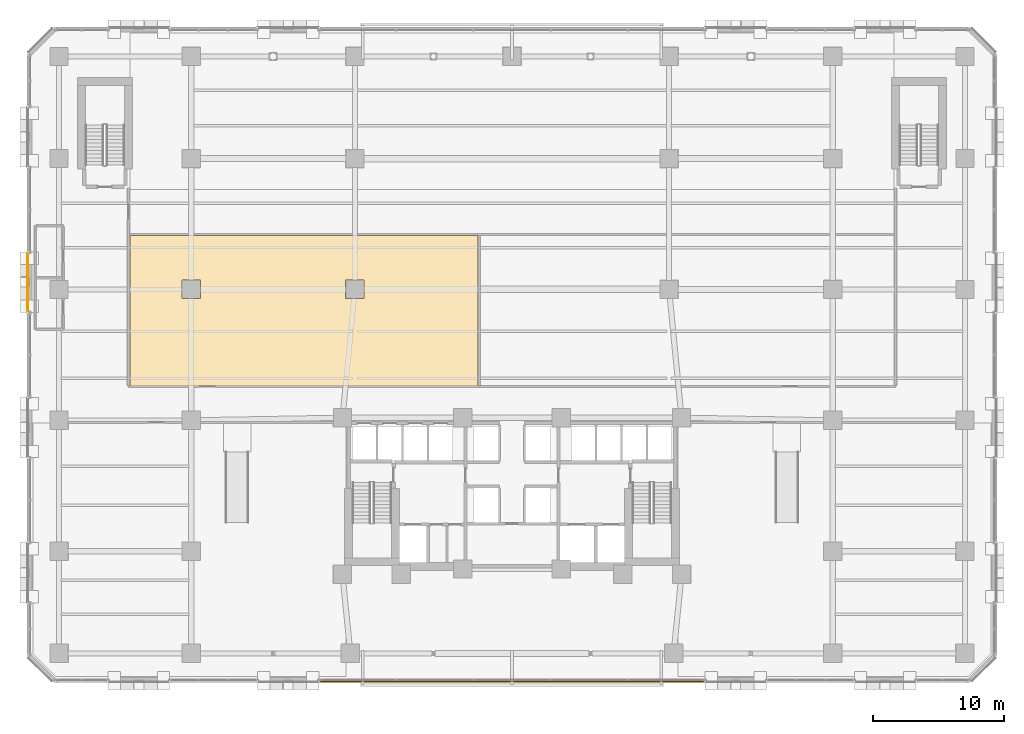
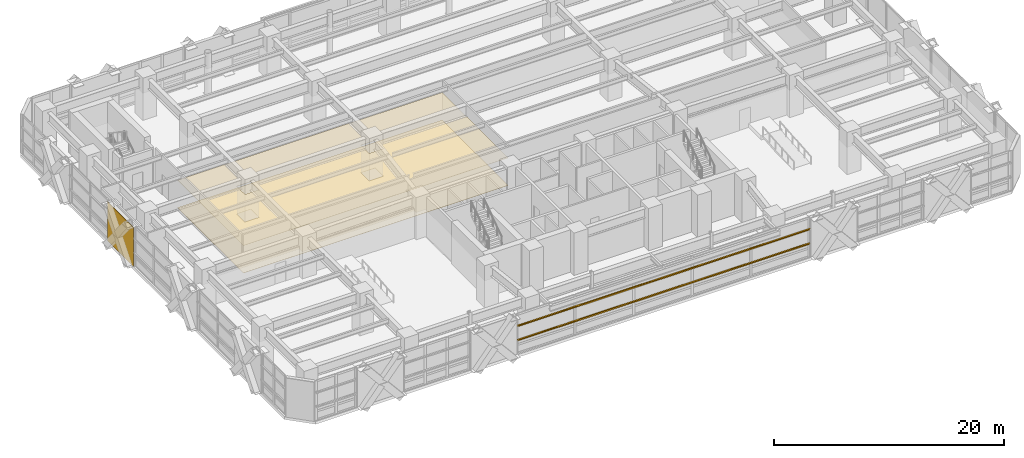
# One storey, part 25 of 30: 3 coverings, 2 shading devices.
"""IFC4 building model written with IfcOpenShell, lengths in metres."""

from ifc_helpers import new_model, si_unit, direction, frame, origin, origin_2d, place, context, subcontext, project, spatial, polyline, rectangle, outline, extrude, material, layer, layer_set, material_profile, profile_set, type_object, element, save


model = new_model("IFC4")

# Units and contexts
model_context = context("Model", 3, precision=1e-05, world=origin(), true_north=direction((0.0, 1.0)))
body_context = subcontext(model_context, "Body", "Model", "MODEL_VIEW")
ifc_project = project(units=[si_unit("LENGTHUNIT", "METRE"), si_unit("AREAUNIT", "SQUARE_METRE"), si_unit("VOLUMEUNIT", "CUBIC_METRE"), si_unit("PLANEANGLEUNIT", "RADIAN"), si_unit("MASSUNIT", "GRAM", prefix="KILO")], contexts=[model_context])

# Site, building, storey
site_placement = place(None, origin())
site = spatial("IfcSite", under=ifc_project, at=site_placement, CompositionType="ELEMENT")
building_placement = place(site_placement, origin())
building = spatial("IfcBuilding", under=site, at=building_placement, Name="Quenlor Broadcast Tower", CompositionType="ELEMENT")
storey_placement = place(building_placement, frame((0.0, 0.0, 9.5)))
storey = spatial("IfcBuildingStorey", under=building, at=storey_placement, Name="L02", CompositionType="ELEMENT", Elevation=9.5)

# Covering
ifc_material_1 = material(Name="Acoustic Mineral Fibre Board", Category="other")
ifc_layer_1 = layer(ifc_material_1, 0.02490234375)
ifc_layer_set_1 = layer_set([ifc_layer_1], Name="Acoustic Perforated Mineral Tile Ceiling 25")
covering_type_1 = type_object("IfcCoveringType", Name="Acoustic Perforated Mineral Tile Ceiling 25", PredefinedType="CEILING", material=ifc_layer_set_1)
covering_1_placement = place(storey_placement, frame((0.0, 0.0, 2.925048828125)))
element("IfcCovering", 1, at=covering_1_placement, inside=storey, type_object=covering_type_1, Name="L02 Acoustic Ceiling L02-33", PredefinedType="CEILING", context=body_context, shape_type="SweptSolid", body=[
    extrude(outline(polyline([(-2.580078125, -2.360107421875), (-29.199951171875, -2.360107421875), (-29.199951171875, 9.1201171875), (-2.580078125, 9.1201171875), (-2.580078125, -2.360107421875)]), holes=[polyline([(-23.7919921875, 4.2919921875), (-23.7919921875, 5.7080078125), (-25.2080078125, 5.7080078125), (-25.2080078125, 4.2919921875), (-23.7919921875, 4.2919921875)]), polyline([(-11.2919921875, 4.2919921875), (-11.2919921875, 5.7080078125), (-12.7080078125, 5.7080078125), (-12.7080078125, 4.2919921875), (-11.2919921875, 4.2919921875)])]), origin(), (0.0, 0.0, 1.0), 0.02490234375),
])

# Shading devices
ifc_material_2 = material(Name="Architectural Terracotta Ceramic", Category="masonry")
ifc_material_profile = material_profile(ifc_material_2, rectangle(XDim=0.090087890625, YDim=0.139892578125, at=origin_2d()))
ifc_profile_set = profile_set([ifc_material_profile], Name="Architectural Terracotta Ceramic BAG90x140")
shading_device_type = type_object("IfcShadingDeviceType", Name="Copper Terracotta Baguette Solar Screen 140", PredefinedType="USERDEFINED", material=ifc_profile_set)
for number, where, z_axis, x_axis, name in (
    (2, (14.70947265625, -24.972900390625, 1.511962890625), (-1.0, 0.0, 0.0), (0.0, -1.0, 0.0), "L02 Terracotta Baguette Screen 1"),
    (3, (14.70947265625, -24.972900390625, 3.02392578125), (-1.0, 0.0, 0.0), (0.0, -1.0, 0.0), "L02 Terracotta Baguette Screen 2"),
):
    element("IfcShadingDevice", number, at=place(storey_placement, frame(where, z_axis=z_axis, x_axis=x_axis)), inside=storey, type_object=shading_device_type, Name=name, ObjectType="BAGUETTE", PredefinedType="USERDEFINED", context=body_context, shape_type="SweptSolid", body=[
        extrude(rectangle(XDim=0.090087890625, YDim=0.139892578125, at=origin_2d()), origin(), (0.0, 0.0, 1.0), 29.4189453125),
    ])

# Coverings
ifc_material_3 = material(Name="Architectural Terracotta Ceramic", Category="masonry")
ifc_layer_2 = layer(ifc_material_3, 0.044921875)
ifc_layer_set_2 = layer_set([ifc_layer_2], Name="Fluted Terracotta Rainscreen Cladding Panel")
covering_type_2 = type_object("IfcCoveringType", Name="Fluted Terracotta Rainscreen Cladding Panel", PredefinedType="CLADDING", material=ifc_layer_set_2)
covering_2_placement = place(storey_placement, frame((0.0, 0.0, 0.02001953125)))
element("IfcCovering", 4, at=covering_2_placement, inside=storey, type_object=covering_type_2, Name="L02 Terracotta Rainscreen Cladding L02-W-FULL-SP3", PredefinedType="CLADDING", context=body_context, shape_type="SweptSolid", body=[
    extrude(outline(polyline([(-36.971923828125, 3.27734375), (-36.971923828125, 7.82275390625), (-37.01708984375, 7.82275390625), (-37.01708984375, 3.27734375), (-36.971923828125, 3.27734375)])), origin(), (0.0, 0.0, 1.0), 4.159912109375),
])
ifc_material_4 = material(Name="Terrazzo Stone Finish", Category="masonry")
ifc_layer_3 = layer(ifc_material_4, 0.02001953125)
ifc_layer_set_3 = layer_set([ifc_layer_3], Name="Polished Sandstone Terrazzo Flooring 20")
covering_type_3 = type_object("IfcCoveringType", Name="Polished Sandstone Terrazzo Flooring 20", PredefinedType="FLOORING", material=ifc_layer_set_3)
covering_3_placement = place(storey_placement, origin())
element("IfcCovering", 5, at=covering_3_placement, inside=storey, type_object=covering_type_3, Name="L02 Terrazzo Flooring L02-33", PredefinedType="FLOORING", context=body_context, shape_type="SweptSolid", body=[
    extrude(outline(polyline([(-2.580078125, -2.360107421875), (-29.199951171875, -2.360107421875), (-29.199951171875, 9.1201171875), (-2.580078125, 9.1201171875), (-2.580078125, -2.360107421875)]), holes=[polyline([(-23.7919921875, 4.2919921875), (-23.7919921875, 5.7080078125), (-25.2080078125, 5.7080078125), (-25.2080078125, 4.2919921875), (-23.7919921875, 4.2919921875)]), polyline([(-11.2919921875, 4.2919921875), (-11.2919921875, 5.7080078125), (-12.7080078125, 5.7080078125), (-12.7080078125, 4.2919921875), (-11.2919921875, 4.2919921875)])]), origin(), (0.0, 0.0, 1.0), 0.02001953125),
])

save(model, "model.ifc")
